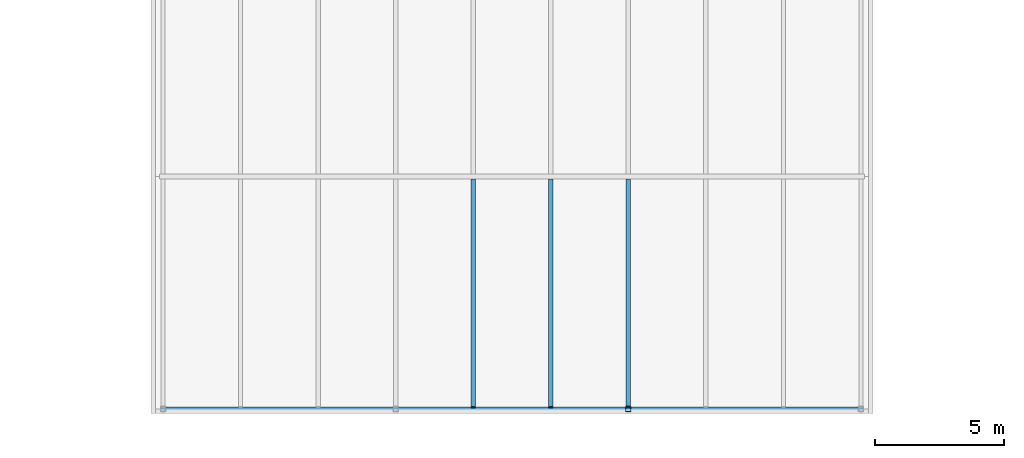
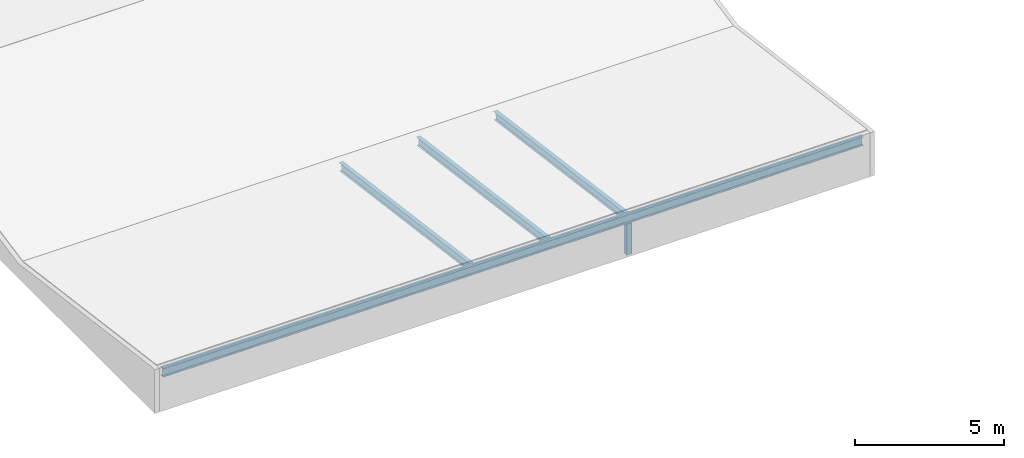
# One storey, part 3 of 29: 4 members, 1 beam.
"""IFC4 building model written with IfcOpenShell, lengths in metres."""

from ifc_helpers import new_model, si_unit, direction, frame, origin, origin_2d, place, context, subcontext, project, spatial, hollow_rectangle, i_section, extrude, material, material_profile, profile_set, type_object, element, save


model = new_model("IFC4")

# Units and contexts
model_context = context("Model", 3, precision=1e-05, world=origin(), true_north=direction((0.0, 1.0)))
body_context = subcontext(model_context, "Body", "Model", "MODEL_VIEW")
ifc_project = project(units=[si_unit("LENGTHUNIT", "METRE"), si_unit("AREAUNIT", "SQUARE_METRE"), si_unit("VOLUMEUNIT", "CUBIC_METRE"), si_unit("PLANEANGLEUNIT", "RADIAN"), si_unit("MASSUNIT", "GRAM", prefix="KILO")], contexts=[model_context])

# Site, building, storey
site_placement = place(None, origin())
site = spatial("IfcSite", under=ifc_project, at=site_placement, CompositionType="ELEMENT")
building_placement = place(site_placement, origin())
building = spatial("IfcBuilding", under=site, at=building_placement, Name="Azimuth Sports and Learning Centre", CompositionType="ELEMENT")
storey_placement = place(building_placement, frame((0.0, 0.0, 27.0)))
storey = spatial("IfcBuildingStorey", under=building, at=storey_placement, Name="L05", CompositionType="ELEMENT", Elevation=27.0)

# Beam
ifc_material_1 = material(Name="Steel S355", Category="steel")
ifc_material_profile_1 = material_profile(ifc_material_1, i_section(OverallWidth=0.169921875, OverallDepth=0.360107421875, WebThickness=0.008056640625, FlangeThickness=0.0126953125, FilletRadius=0.01806640625, at=origin_2d()), Name="IPE 360")
ifc_profile_set_1 = profile_set([ifc_material_profile_1], Name="Steel S355")
beam_type = type_object("IfcBeamType", Name="Beam IPE 360", PredefinedType="BEAM", material=ifc_profile_set_1)
beam_placement = place(storey_placement, frame((71.89990234375, 0.0, 1.46875), z_axis=(1.0, 0.0, 0.0), x_axis=(0.0, 1.0, 0.0)))
element("IfcBeam", 1, at=beam_placement, inside=storey, type_object=beam_type, Name="Beam L05 RF 1", PredefinedType="BEAM", context=body_context, shape_type="SweptSolid", body=[
    extrude(i_section(OverallWidth=0.169921875, OverallDepth=0.360107421875, WebThickness=0.008056640625, FlangeThickness=0.0126953125, FilletRadius=0.01806640625, at=origin_2d()), origin(), (0.0, 0.0, 1.0), 27.2001953125),
])

# Members
ifc_material_2 = material(Name="Steel S355", Category="steel")
ifc_material_profile_2 = material_profile(ifc_material_2, i_section(OverallWidth=0.159912109375, OverallDepth=0.330078125, WebThickness=0.007568359375, FlangeThickness=0.011474609375, FilletRadius=0.01806640625, at=origin_2d()), Name="IPE 330")
ifc_profile_set_2 = profile_set([ifc_material_profile_2], Name="Steel S355")
member_type_1 = type_object("IfcMemberType", Name="Rafter IPE 330", PredefinedType="RAFTER", material=ifc_profile_set_2)
for number, where, z_axis, x_axis, name in (
    (2, (84.0, 0.063232421875, 1.473876953125), (0.0, 0.991227661054, -0.132165517294), (-1.0, 0.0, 0.0), "Rafter FOLD01 5"),
    (3, (87.0, 0.063232421875, 1.473876953125), (0.0, 0.991227661054, -0.132165517294), (-1.0, 0.0, 0.0), "Rafter FOLD01 6"),
    (4, (90.0, 0.063232421875, 1.473876953125), (0.0, 0.991227661054, -0.132165517294), (-1.0, 0.0, 0.0), "Rafter FOLD01 7"),
):
    element("IfcMember", number, at=place(storey_placement, frame(where, z_axis=z_axis, x_axis=x_axis)), inside=storey, type_object=member_type_1, Name=name, PredefinedType="RAFTER", context=body_context, shape_type="SweptSolid", body=[
        extrude(i_section(OverallWidth=0.159912109375, OverallDepth=0.330078125, WebThickness=0.007568359375, FlangeThickness=0.011474609375, FilletRadius=0.01806640625, at=origin_2d()), origin(), (0.0, 0.0, 1.0), 8.898193359375),
    ])
ifc_material_3 = material(Name="Steel S355", Category="steel")
ifc_material_profile_3 = material_profile(ifc_material_3, hollow_rectangle(XDim=0.199951171875, YDim=0.199951171875, WallThickness=0.010009765625, InnerFilletRadius=0.010009765625, OuterFilletRadius=0.014892578125, at=origin_2d()), Name="SHS 200x200x10.0")
ifc_profile_set_3 = profile_set([ifc_material_profile_3], Name="Steel S355")
member_type_2 = type_object("IfcMemberType", Name="Truss post SHS 200x200x10.0", PredefinedType="POST", material=ifc_profile_set_3)
member_placement = place(storey_placement, frame((90.0, 0.0, 0.0), z_axis=(0.0, 0.0, 1.0), x_axis=(1.0, 0.0, 0.0)))
element("IfcMember", 5, at=member_placement, inside=storey, type_object=member_type_2, Name="Ridge post 11A", PredefinedType="POST", context=body_context, shape_type="SweptSolid", body=[
    extrude(hollow_rectangle(XDim=0.199951171875, YDim=0.199951171875, WallThickness=0.010009765625, InnerFilletRadius=0.010009765625, OuterFilletRadius=0.014892578125, at=origin_2d()), origin(), (0.0, 0.0, 1.0), 1.288818359375),
])

save(model, "model.ifc")
